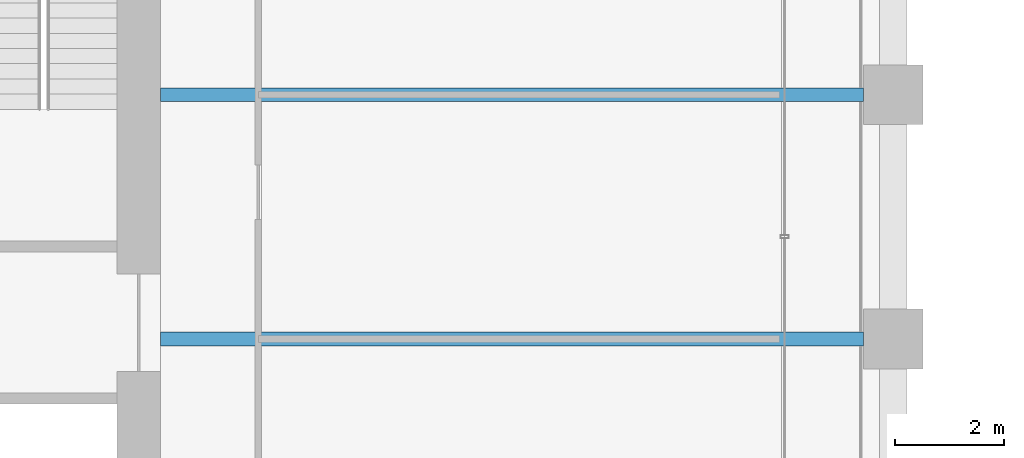
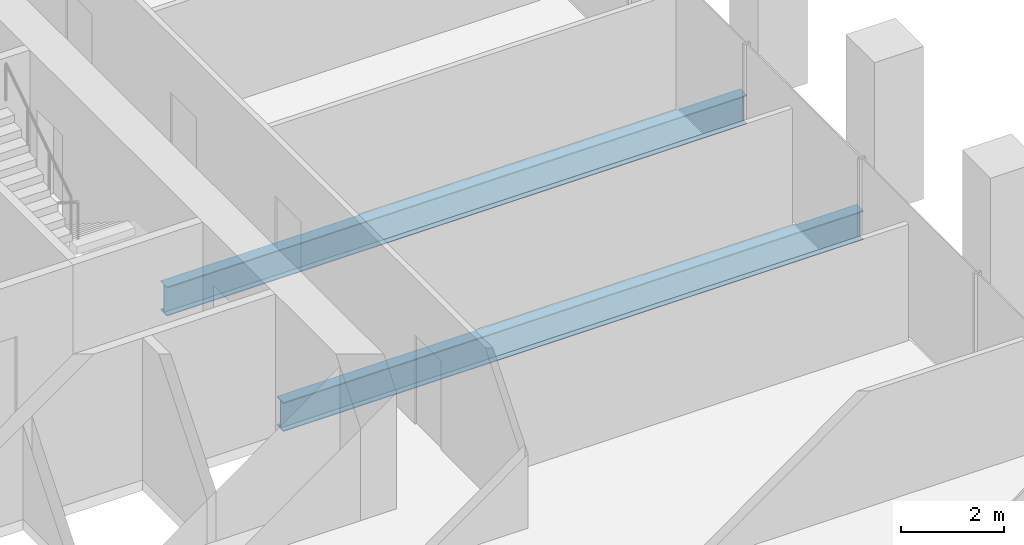
# One storey, part 19 of 56: 2 beams.
"""IFC4 building model written with IfcOpenShell, lengths in metres."""

from ifc_helpers import new_model, si_unit, direction, frame, origin, origin_2d, place, context, subcontext, project, spatial, i_section, extrude, material, material_profile, profile_set, type_object, element, save


model = new_model("IFC4")

# Units and contexts
model_context = context("Model", 3, precision=1e-05, world=origin(), true_north=direction((0.0, 1.0)))
body_context = subcontext(model_context, "Body", "Model", "MODEL_VIEW")
ifc_project = project(units=[si_unit("LENGTHUNIT", "METRE"), si_unit("AREAUNIT", "SQUARE_METRE"), si_unit("VOLUMEUNIT", "CUBIC_METRE"), si_unit("PLANEANGLEUNIT", "RADIAN"), si_unit("MASSUNIT", "GRAM", prefix="KILO")], contexts=[model_context])

# Site, building, storey
site_placement = place(None, origin())
site = spatial("IfcSite", under=ifc_project, at=site_placement, CompositionType="ELEMENT")
building_placement = place(site_placement, origin())
building = spatial("IfcBuilding", under=site, at=building_placement, Name="Altepetl Exchange Towers", CompositionType="ELEMENT")
storey_placement = place(building_placement, frame((0.0, 0.0, 76.199951171875)))
storey = spatial("IfcBuildingStorey", under=building, at=storey_placement, Name="L18", CompositionType="ELEMENT", Elevation=76.199951171875)

# Beams
ifc_material = material(Name="Steel S355", Category="steel")
ifc_material_profile = material_profile(ifc_material, i_section(OverallWidth=0.25390625, OverallDepth=0.68408203125, WebThickness=0.012451171875, FlangeThickness=0.018798828125, at=origin_2d()), Name="W27X94")
ifc_profile_set = profile_set([ifc_material_profile], Name="Steel S355")
beam_type = type_object("IfcBeamType", Name="Floor beam W27X94", PredefinedType="BEAM", material=ifc_profile_set)
for number, where, z_axis, x_axis, name in (
    (1, (58.5, 45.0, -0.491943359375), (1.0, 0.0, 0.0), (0.0, 1.0, 0.0), "bm:A:L18:009"),
    (2, (58.5, 49.5, -0.491943359375), (1.0, 0.0, 0.0), (0.0, 1.0, 0.0), "bm:A:L18:010"),
):
    element("IfcBeam", number, at=place(storey_placement, frame(where, z_axis=z_axis, x_axis=x_axis)), inside=storey, type_object=beam_type, Name=name, PredefinedType="BEAM", context=body_context, shape_type="SweptSolid", body=[
        extrude(i_section(OverallWidth=0.25390625, OverallDepth=0.68408203125, WebThickness=0.012451171875, FlangeThickness=0.018798828125, at=origin_2d()), origin(), (0.0, 0.0, 1.0), 12.949951171875),
    ])

save(model, "model.ifc")
